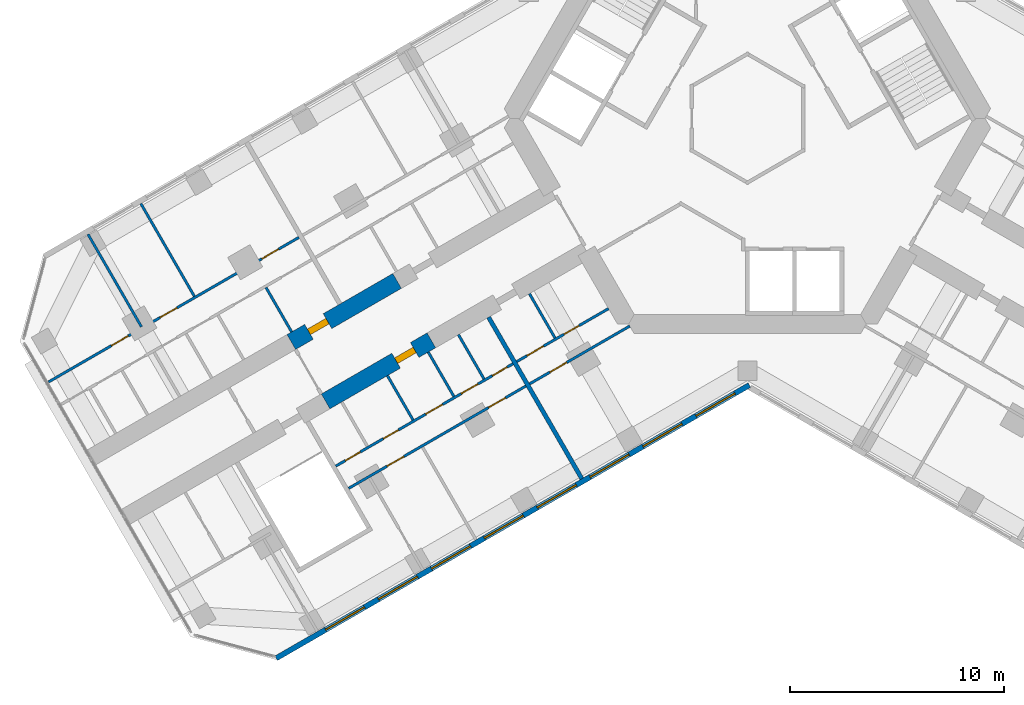
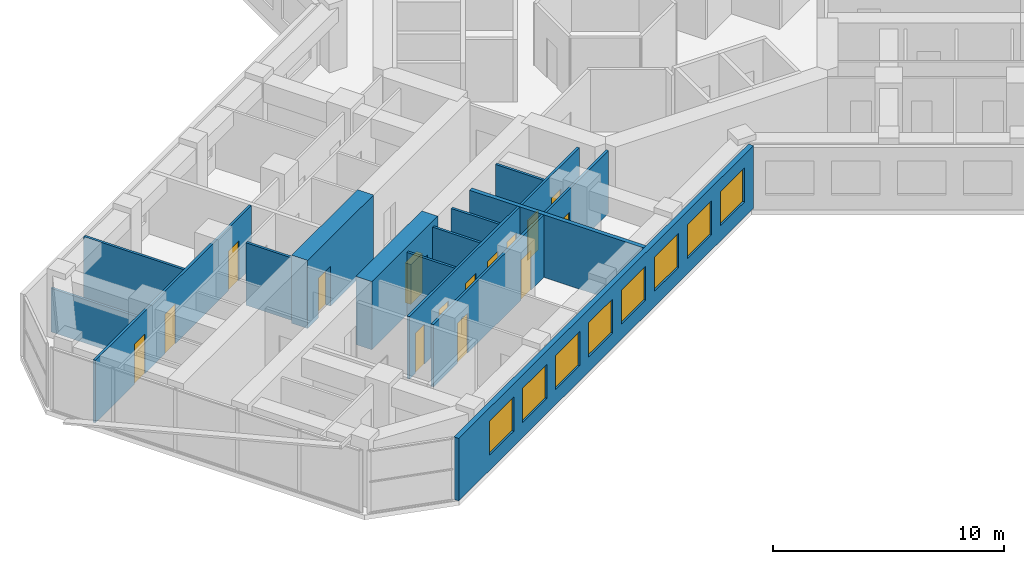
# One storey, part 11 of 20: 16 walls, 15 doors, 8 windows, 23 openings.
"""IFC4 building model written with IfcOpenShell, lengths in metres."""

from ifc_helpers import new_model, si_unit, direction, frame, frame_2d, origin, place, context, subcontext, project, spatial, rectangle, extrude, material, layer, layer_set, type_object, element, fill, save


model = new_model("IFC4")

# Units and contexts
model_context = context("Model", 3, precision=1e-05, world=origin(), true_north=direction((0.0, 1.0)))
body_context = subcontext(model_context, "Body", "Model", "MODEL_VIEW")
ifc_project = project(units=[si_unit("LENGTHUNIT", "METRE"), si_unit("AREAUNIT", "SQUARE_METRE"), si_unit("VOLUMEUNIT", "CUBIC_METRE"), si_unit("PLANEANGLEUNIT", "RADIAN"), si_unit("MASSUNIT", "GRAM", prefix="KILO")], contexts=[model_context])

# Site, building, storey
site_placement = place(None, origin())
site = spatial("IfcSite", under=ifc_project, at=site_placement, CompositionType="ELEMENT")
building_placement = place(site_placement, origin())
building = spatial("IfcBuilding", under=site, at=building_placement, Name="Kosmar Iwan School Tower", CompositionType="ELEMENT")
storey_placement = place(building_placement, frame((0.0, 0.0, 183.199951171875)))
storey = spatial("IfcBuildingStorey", under=building, at=storey_placement, Name="L46", CompositionType="ELEMENT", Elevation=183.199951171875)

# Wall, opening, door
ifc_material_1 = material(Name="Concrete C50/60", Category="concrete")
ifc_layer_1 = layer(ifc_material_1, 0.800048828125)
ifc_layer_set_1 = layer_set([ifc_layer_1], Name="Corridor buttress wall 800")
wall_type_1 = type_object("IfcWallType", Name="Corridor buttress wall 800", PredefinedType="SHEAR", material=ifc_layer_set_1)
wall_1_placement = place(storey_placement, frame((-14.7451171875, -10.360595703125, 0.0), z_axis=(0.0, 0.0, 1.0), x_axis=(-0.866015111908, -0.50001782563, 0.0)))
wall_1 = element("IfcWall", 1, at=wall_1_placement, inside=storey, type_object=wall_type_1, Name="Corridor wall BL bay 2", PredefinedType="SHEAR", context=body_context, shape_type="SweptSolid", body=[
    extrude(rectangle(XDim=5.699951171875, YDim=0.800048828125, at=frame_2d((2.85009765625, 0.0))), origin(), (0.0, 0.0, 1.0), 3.60009765625),
])
opening_1_placement = place(wall_1_placement, frame((0.89990234375, 0.0, 0.0)))
opening_1 = element("IfcOpeningElement", 2, at=opening_1_placement, cuts=wall_1, Name="Opening D1", PredefinedType="OPENING", context=body_context, shape_type="SweptSolid", body=[
    extrude(rectangle(XDim=1.0, YDim=2.10009765625, at=frame_2d((0.5, 1.050048828125))), frame((0.0, 0.412109375, 0.0), z_axis=(0.0, -1.0, 0.0), x_axis=(1.0, 0.0, 0.0)), (0.0, 0.0, 1.0), 0.823974609375),
])
ifc_material_2 = material(Name="Timber fire door in steel frame", Category="steel")
door_type_1 = type_object("IfcDoorType", Name="Flat entrance door 1000x2100", OperationType="SINGLE_SWING_LEFT", PredefinedType="DOOR", material=ifc_material_2)
door_1_placement = place(opening_1_placement, origin())
door_1 = element("IfcDoor", 3, at=door_1_placement, inside=storey, type_object=door_type_1, Name="Flat L46-BL2 entrance door", OperationType="SINGLE_SWING_LEFT", OverallHeight=2.10009765625, OverallWidth=1.0, PredefinedType="DOOR", context=body_context, shape_type="SweptSolid", body=[
    extrude(rectangle(XDim=1.0, YDim=2.10009765625, at=frame_2d((0.5, 1.050048828125))), frame((0.0, 0.14990234375, 0.0), z_axis=(0.0, -1.0, 0.0), x_axis=(1.0, 0.0, 0.0)), (0.0, 0.0, 1.0), 0.300048828125),
])
fill(opening_1, door_1)

wall_2_placement = place(storey_placement, frame((-16.34521484375, -7.58935546875, 0.0), z_axis=(0.0, 0.0, 1.0), x_axis=(-0.866015111908, -0.50001782563, 0.0)))
wall_2 = element("IfcWall", 4, at=wall_2_placement, inside=storey, type_object=wall_type_1, Name="Corridor wall BR bay 2", PredefinedType="SHEAR", context=body_context, shape_type="SweptSolid", body=[
    extrude(rectangle(XDim=5.699951171875, YDim=0.800048828125, at=frame_2d((2.85009765625, 0.0))), origin(), (0.0, 0.0, 1.0), 3.60009765625),
])
opening_2_placement = place(wall_2_placement, frame((3.75, 0.0, 0.0)))
opening_2 = element("IfcOpeningElement", 5, at=opening_2_placement, cuts=wall_2, Name="Opening D1", PredefinedType="OPENING", context=body_context, shape_type="SweptSolid", body=[
    extrude(rectangle(XDim=1.0, YDim=2.10009765625, at=frame_2d((0.5, 1.050048828125))), frame((0.0, 0.412109375, 0.0), z_axis=(0.0, -1.0, 0.0), x_axis=(1.0, 0.0, 0.0)), (0.0, 0.0, 1.0), 0.823974609375),
])
door_2_placement = place(opening_2_placement, origin())
door_2 = element("IfcDoor", 6, at=door_2_placement, inside=storey, type_object=door_type_1, Name="Flat L46-BR2 entrance door", OperationType="SINGLE_SWING_RIGHT", OverallHeight=2.10009765625, OverallWidth=1.0, PredefinedType="DOOR", context=body_context, shape_type="SweptSolid", body=[
    extrude(rectangle(XDim=1.0, YDim=2.10009765625, at=frame_2d((0.5, 1.050048828125))), frame((0.0, 0.14990234375, 0.0), z_axis=(0.0, -1.0, 0.0), x_axis=(1.0, 0.0, 0.0)), (0.0, 0.0, 1.0), 0.300048828125),
])
fill(opening_2, door_2)

# Wall, openings, doors
ifc_material_3 = material(Name="Gypsum board on steel studs", Category="steel")
ifc_layer_2 = layer(ifc_material_3, 0.1201171875)
ifc_layer_set_2 = layer_set([ifc_layer_2], Name="Dwelling partition 120")
wall_type_2 = type_object("IfcWallType", Name="Dwelling partition 120", PredefinedType="PARTITIONING", material=ifc_layer_set_2)
wall_3_placement = place(storey_placement, frame((-6.478515625, -8.87890625, 0.0), z_axis=(0.0, 0.0, 1.0), x_axis=(-0.866040211805, -0.499974350878, 0.0)))
wall_3 = element("IfcWall", 7, at=wall_3_placement, inside=storey, type_object=wall_type_2, Name="Partition L46-BL1-W1", PredefinedType="PARTITIONING", context=body_context, shape_type="SweptSolid", body=[
    extrude(rectangle(XDim=4.949951171875, YDim=0.1201171875, at=frame_2d((2.47509765625, 0.0))), origin(), (0.0, 0.0, 1.0), 3.300048828125),
])
opening_3_placement = place(wall_3_placement, frame((1.60009765625, 0.0, 0.0)))
opening_3 = element("IfcOpeningElement", 8, at=opening_3_placement, cuts=wall_3, Name="Opening D3", PredefinedType="OPENING", context=body_context, shape_type="SweptSolid", body=[
    extrude(rectangle(XDim=0.800048828125, YDim=2.10009765625, at=frame_2d((0.39990234375, 1.050048828125))), frame((0.0, 0.072021484375, 0.0), z_axis=(0.0, -1.0, 0.0), x_axis=(1.0, 0.0, 0.0)), (0.0, 0.0, 1.0), 0.14404296875),
])
opening_4_placement = place(wall_3_placement, frame((3.5, 0.0, 0.0)))
opening_4 = element("IfcOpeningElement", 9, at=opening_4_placement, cuts=wall_3, Name="Opening D2", PredefinedType="OPENING", context=body_context, shape_type="SweptSolid", body=[
    extrude(rectangle(XDim=0.89990234375, YDim=2.10009765625, at=frame_2d((0.449951171875, 1.050048828125))), frame((0.0, 0.072021484375, 0.0), z_axis=(0.0, -1.0, 0.0), x_axis=(1.0, 0.0, 0.0)), (0.0, 0.0, 1.0), 0.14404296875),
])
ifc_material_4 = material(Name="Timber door in timber frame", Category="wood")
door_type_2 = type_object("IfcDoorType", Name="Internal door 900x2100", OperationType="SINGLE_SWING_LEFT", PredefinedType="DOOR", material=ifc_material_4)
door_3_placement = place(opening_4_placement, origin())
door_3 = element("IfcDoor", 10, at=door_3_placement, inside=storey, type_object=door_type_2, Name="Entrance hall door L46-BL1-S2", OperationType="SINGLE_SWING_RIGHT", OverallHeight=2.10009765625, OverallWidth=0.89990234375, PredefinedType="DOOR", context=body_context, shape_type="SweptSolid", body=[
    extrude(rectangle(XDim=0.89990234375, YDim=2.10009765625, at=frame_2d((0.449951171875, 1.050048828125))), frame((0.0, 0.02490234375, 0.0), z_axis=(0.0, -1.0, 0.0), x_axis=(1.0, 0.0, 0.0)), (0.0, 0.0, 1.0), 0.050048828125),
])
fill(opening_4, door_3)
ifc_material_5 = material(Name="Timber door in timber frame", Category="wood")
door_type_3 = type_object("IfcDoorType", Name="Sanitary room door 800x2100", OperationType="SINGLE_SWING_LEFT", PredefinedType="DOOR", material=ifc_material_5)
door_4_placement = place(opening_3_placement, origin())
door_4 = element("IfcDoor", 11, at=door_4_placement, inside=storey, type_object=door_type_3, Name="Bathroom door L46-BL1-S1", OperationType="SINGLE_SWING_LEFT", OverallHeight=2.10009765625, OverallWidth=0.800048828125, PredefinedType="DOOR", context=body_context, shape_type="SweptSolid", body=[
    extrude(rectangle(XDim=0.800048828125, YDim=2.10009765625, at=frame_2d((0.39990234375, 1.050048828125))), frame((0.0, 0.02490234375, 0.0), z_axis=(0.0, -1.0, 0.0), x_axis=(1.0, 0.0, 0.0)), (0.0, 0.0, 1.0), 0.050048828125),
])
fill(opening_3, door_4)

# Wall, opening, door
wall_4_placement = place(storey_placement, frame((-5.48876953125, -9.693115234375, 0.0), z_axis=(0.0, 0.0, 1.0), x_axis=(-0.866028230842, -0.499995103361, 0.0)))
wall_4 = element("IfcWall", 12, at=wall_4_placement, inside=storey, type_object=wall_type_2, Name="Partition L46-BL1-W2", PredefinedType="PARTITIONING", context=body_context, shape_type="SweptSolid", body=[
    extrude(rectangle(XDim=5.39990234375, YDim=0.1201171875, at=frame_2d((2.699951171875, 0.0))), origin(), (0.0, 0.0, 1.0), 3.300048828125),
])
opening_5_placement = place(wall_4_placement, frame((3.39990234375, 0.0, 0.0)))
opening_5 = element("IfcOpeningElement", 13, at=opening_5_placement, cuts=wall_4, Name="Opening D2", PredefinedType="OPENING", context=body_context, shape_type="SweptSolid", body=[
    extrude(rectangle(XDim=0.89990234375, YDim=2.10009765625, at=frame_2d((0.449951171875, 1.050048828125))), frame((0.0, 0.072021484375, 0.0), z_axis=(0.0, -1.0, 0.0), x_axis=(1.0, 0.0, 0.0)), (0.0, 0.0, 1.0), 0.14404296875),
])
door_5_placement = place(opening_5_placement, origin())
door_5 = element("IfcDoor", 14, at=door_5_placement, inside=storey, type_object=door_type_2, Name="Studio living room and kitchen door L46-BL1-F1", OperationType="SINGLE_SWING_RIGHT", OverallHeight=2.10009765625, OverallWidth=0.89990234375, PredefinedType="DOOR", context=body_context, shape_type="SweptSolid", body=[
    extrude(rectangle(XDim=0.89990234375, YDim=2.10009765625, at=frame_2d((0.449951171875, 1.050048828125))), frame((0.0, 0.02490234375, 0.0), z_axis=(0.0, -1.0, 0.0), x_axis=(1.0, 0.0, 0.0)), (0.0, 0.0, 1.0), 0.050048828125),
])
fill(opening_5, door_5)

# Wall
wall_5_placement = place(storey_placement, frame((-10.171630859375, -8.18212890625, 0.0), z_axis=(0.0, 0.0, 1.0), x_axis=(0.499940577336, -0.866059708757, 0.0)))
element("IfcWall", 15, at=wall_5_placement, inside=storey, type_object=wall_type_2, Name="Partition L46-BL1-Y1", PredefinedType="PARTITIONING", context=body_context, shape_type="SweptSolid", body=[
    extrude(rectangle(XDim=2.389892578125, YDim=0.1201171875, at=frame_2d((1.19482421875, 0.0))), origin(), (0.0, 0.0, 1.0), 3.300048828125),
])

# Wall, openings, doors
wall_6_placement = place(storey_placement, frame((-10.9384765625, -11.453857421875, 0.0), z_axis=(0.0, 0.0, 1.0), x_axis=(-0.866035311659, -0.499982838664, 0.0)))
wall_6 = element("IfcWall", 16, at=wall_6_placement, inside=storey, type_object=wall_type_2, Name="Partition L46-BL2-W1", PredefinedType="PARTITIONING", context=body_context, shape_type="SweptSolid", body=[
    extrude(rectangle(XDim=9.550048828125, YDim=0.1201171875, at=frame_2d((4.77490234375, 0.0))), origin(), (0.0, 0.0, 1.0), 3.300048828125),
])
opening_6_placement = place(wall_6_placement, frame((0.3125, 0.0, 0.0)))
opening_6 = element("IfcOpeningElement", 17, at=opening_6_placement, cuts=wall_6, Name="Opening D3", PredefinedType="OPENING", context=body_context, shape_type="SweptSolid", body=[
    extrude(rectangle(XDim=0.800048828125, YDim=2.10009765625, at=frame_2d((0.39990234375, 1.050048828125))), frame((0.0, 0.072021484375, 0.0), z_axis=(0.0, -1.0, 0.0), x_axis=(1.0, 0.0, 0.0)), (0.0, 0.0, 1.0), 0.14404296875),
])
opening_7_placement = place(wall_6_placement, frame((1.887451171875, 0.0, 0.0)))
opening_7 = element("IfcOpeningElement", 18, at=opening_7_placement, cuts=wall_6, Name="Opening D2", PredefinedType="OPENING", context=body_context, shape_type="SweptSolid", body=[
    extrude(rectangle(XDim=0.89990234375, YDim=2.10009765625, at=frame_2d((0.449951171875, 1.050048828125))), frame((0.0, 0.072021484375, 0.0), z_axis=(0.0, -1.0, 0.0), x_axis=(1.0, 0.0, 0.0)), (0.0, 0.0, 1.0), 0.14404296875),
])
opening_8_placement = place(wall_6_placement, frame((3.800048828125, 0.0, 0.0)))
opening_8 = element("IfcOpeningElement", 19, at=opening_8_placement, cuts=wall_6, Name="Opening D2", PredefinedType="OPENING", context=body_context, shape_type="SweptSolid", body=[
    extrude(rectangle(XDim=0.89990234375, YDim=2.10009765625, at=frame_2d((0.449951171875, 1.050048828125))), frame((0.0, 0.072021484375, 0.0), z_axis=(0.0, -1.0, 0.0), x_axis=(1.0, 0.0, 0.0)), (0.0, 0.0, 1.0), 0.14404296875),
])
opening_9_placement = place(wall_6_placement, frame((6.179931640625, 0.0, 0.0)))
opening_9 = element("IfcOpeningElement", 20, at=opening_9_placement, cuts=wall_6, Name="Opening D3", PredefinedType="OPENING", context=body_context, shape_type="SweptSolid", body=[
    extrude(rectangle(XDim=0.800048828125, YDim=2.10009765625, at=frame_2d((0.39990234375, 1.050048828125))), frame((0.0, 0.072021484375, 0.0), z_axis=(0.0, -1.0, 0.0), x_axis=(1.0, 0.0, 0.0)), (0.0, 0.0, 1.0), 0.14404296875),
])
opening_10_placement = place(wall_6_placement, frame((8.22998046875, 0.0, 0.0)))
opening_10 = element("IfcOpeningElement", 21, at=opening_10_placement, cuts=wall_6, Name="Opening D3", PredefinedType="OPENING", context=body_context, shape_type="SweptSolid", body=[
    extrude(rectangle(XDim=0.800048828125, YDim=2.10009765625, at=frame_2d((0.39990234375, 1.050048828125))), frame((0.0, 0.072021484375, 0.0), z_axis=(0.0, -1.0, 0.0), x_axis=(1.0, 0.0, 0.0)), (0.0, 0.0, 1.0), 0.14404296875),
])
door_6_placement = place(opening_7_placement, frame((0.89990234375, 0.0, 0.0), z_axis=(0.0, 0.0, 1.0), x_axis=(-1.0, 0.0, 0.0)))
door_6 = element("IfcDoor", 22, at=door_6_placement, inside=storey, type_object=door_type_2, Name="Pantry door L46-BL2-S2", OperationType="SINGLE_SWING_RIGHT", OverallHeight=2.10009765625, OverallWidth=0.89990234375, PredefinedType="DOOR", context=body_context, shape_type="SweptSolid", body=[
    extrude(rectangle(XDim=0.89990234375, YDim=2.10009765625, at=frame_2d((0.449951171875, 1.050048828125))), frame((0.0, 0.02490234375, 0.0), z_axis=(0.0, -1.0, 0.0), x_axis=(1.0, 0.0, 0.0)), (0.0, 0.0, 1.0), 0.050048828125),
])
fill(opening_7, door_6)
door_7_placement = place(opening_8_placement, origin())
door_7 = element("IfcDoor", 23, at=door_7_placement, inside=storey, type_object=door_type_2, Name="Entrance hall door L46-BL2-S3", OperationType="SINGLE_SWING_LEFT", OverallHeight=2.10009765625, OverallWidth=0.89990234375, PredefinedType="DOOR", context=body_context, shape_type="SweptSolid", body=[
    extrude(rectangle(XDim=0.89990234375, YDim=2.10009765625, at=frame_2d((0.449951171875, 1.050048828125))), frame((0.0, 0.02490234375, 0.0), z_axis=(0.0, -1.0, 0.0), x_axis=(1.0, 0.0, 0.0)), (0.0, 0.0, 1.0), 0.050048828125),
])
fill(opening_8, door_7)
door_8_placement = place(opening_6_placement, origin())
door_8 = element("IfcDoor", 24, at=door_8_placement, inside=storey, type_object=door_type_3, Name="Store door L46-BL2-S1", OperationType="SINGLE_SWING_LEFT", OverallHeight=2.10009765625, OverallWidth=0.800048828125, PredefinedType="DOOR", context=body_context, shape_type="SweptSolid", body=[
    extrude(rectangle(XDim=0.800048828125, YDim=2.10009765625, at=frame_2d((0.39990234375, 1.050048828125))), frame((0.0, 0.02490234375, 0.0), z_axis=(0.0, -1.0, 0.0), x_axis=(1.0, 0.0, 0.0)), (0.0, 0.0, 1.0), 0.050048828125),
])
fill(opening_6, door_8)
door_9_placement = place(opening_9_placement, origin())
door_9 = element("IfcDoor", 25, at=door_9_placement, inside=storey, type_object=door_type_3, Name="Bathroom door L46-BL2-S4", OperationType="SINGLE_SWING_RIGHT", OverallHeight=2.10009765625, OverallWidth=0.800048828125, PredefinedType="DOOR", context=body_context, shape_type="SweptSolid", body=[
    extrude(rectangle(XDim=0.800048828125, YDim=2.10009765625, at=frame_2d((0.39990234375, 1.050048828125))), frame((0.0, 0.02490234375, 0.0), z_axis=(0.0, -1.0, 0.0), x_axis=(1.0, 0.0, 0.0)), (0.0, 0.0, 1.0), 0.050048828125),
])
fill(opening_9, door_9)
door_10_placement = place(opening_10_placement, origin())
door_10 = element("IfcDoor", 26, at=door_10_placement, inside=storey, type_object=door_type_3, Name="WC door L46-BL2-S5", OperationType="SINGLE_SWING_RIGHT", OverallHeight=2.10009765625, OverallWidth=0.800048828125, PredefinedType="DOOR", context=body_context, shape_type="SweptSolid", body=[
    extrude(rectangle(XDim=0.800048828125, YDim=2.10009765625, at=frame_2d((0.39990234375, 1.050048828125))), frame((0.0, 0.02490234375, 0.0), z_axis=(0.0, -1.0, 0.0), x_axis=(1.0, 0.0, 0.0)), (0.0, 0.0, 1.0), 0.050048828125),
])
fill(opening_10, door_10)

wall_7_placement = place(storey_placement, frame((-10.338623046875, -12.492919921875, 0.0), z_axis=(0.0, 0.0, 1.0), x_axis=(-0.866017851049, -0.500013081493, 0.0)))
wall_7 = element("IfcWall", 27, at=wall_7_placement, inside=storey, type_object=wall_type_2, Name="Partition L46-BL2-W2", PredefinedType="PARTITIONING", context=body_context, shape_type="SweptSolid", body=[
    extrude(rectangle(XDim=9.550048828125, YDim=0.1201171875, at=frame_2d((4.77490234375, 0.0))), origin(), (0.0, 0.0, 1.0), 3.300048828125),
])
opening_11_placement = place(wall_7_placement, frame((1.10009765625, 0.0, 0.0)))
opening_11 = element("IfcOpeningElement", 28, at=opening_11_placement, cuts=wall_7, Name="Opening D2", PredefinedType="OPENING", context=body_context, shape_type="SweptSolid", body=[
    extrude(rectangle(XDim=0.89990234375, YDim=2.10009765625, at=frame_2d((0.449951171875, 1.050048828125))), frame((0.0, 0.072021484375, 0.0), z_axis=(0.0, -1.0, 0.0), x_axis=(1.0, 0.0, 0.0)), (0.0, 0.0, 1.0), 0.14404296875),
])
opening_12_placement = place(wall_7_placement, frame((6.574951171875, 0.0, 0.0)))
opening_12 = element("IfcOpeningElement", 29, at=opening_12_placement, cuts=wall_7, Name="Opening D2", PredefinedType="OPENING", context=body_context, shape_type="SweptSolid", body=[
    extrude(rectangle(XDim=0.89990234375, YDim=2.10009765625, at=frame_2d((0.449951171875, 1.050048828125))), frame((0.0, 0.072021484375, 0.0), z_axis=(0.0, -1.0, 0.0), x_axis=(1.0, 0.0, 0.0)), (0.0, 0.0, 1.0), 0.14404296875),
])
door_11_placement = place(opening_11_placement, origin())
door_11 = element("IfcDoor", 30, at=door_11_placement, inside=storey, type_object=door_type_2, Name="Family room and kitchen door L46-BL2-F1", OperationType="SINGLE_SWING_LEFT", OverallHeight=2.10009765625, OverallWidth=0.89990234375, PredefinedType="DOOR", context=body_context, shape_type="SweptSolid", body=[
    extrude(rectangle(XDim=0.89990234375, YDim=2.10009765625, at=frame_2d((0.449951171875, 1.050048828125))), frame((0.0, 0.02490234375, 0.0), z_axis=(0.0, -1.0, 0.0), x_axis=(1.0, 0.0, 0.0)), (0.0, 0.0, 1.0), 0.050048828125),
])
fill(opening_11, door_11)
door_12_placement = place(opening_12_placement, origin())
door_12 = element("IfcDoor", 31, at=door_12_placement, inside=storey, type_object=door_type_2, Name="Bedroom 1 door L46-BL2-F2", OperationType="SINGLE_SWING_RIGHT", OverallHeight=2.10009765625, OverallWidth=0.89990234375, PredefinedType="DOOR", context=body_context, shape_type="SweptSolid", body=[
    extrude(rectangle(XDim=0.89990234375, YDim=2.10009765625, at=frame_2d((0.449951171875, 1.050048828125))), frame((0.0, 0.02490234375, 0.0), z_axis=(0.0, -1.0, 0.0), x_axis=(1.0, 0.0, 0.0)), (0.0, 0.0, 1.0), 0.050048828125),
])
fill(opening_12, door_12)

# Walls
for number, where, z_axis, x_axis, name in (
    (32, (-13.484375, -10.094482421875, 0.0), (0.0, 0.0, 1.0), (0.500017192868, -0.86601547725, 0.0), "Partition L46-BL2-Y1"),
    (33, (-14.8916015625, -10.906982421875, 0.0), (0.0, 0.0, 1.0), (0.500017192868, -0.86601547725, 0.0), "Partition L46-BL2-Y2"),
    (34, (-16.796875, -12.007080078125, 0.0), (0.0, 0.0, 1.0), (0.500017192868, -0.86601547725, 0.0), "Partition L46-BL2-Y3"),
):
    element("IfcWall", number, at=place(storey_placement, frame(where, z_axis=z_axis, x_axis=x_axis)), inside=storey, type_object=wall_type_2, Name=name, PredefinedType="PARTITIONING", context=body_context, shape_type="SweptSolid", body=[
        extrude(rectangle(XDim=2.39013671875, YDim=0.1201171875, at=frame_2d((1.195068359375, 0.0))), origin(), (0.0, 0.0, 1.0), 3.300048828125),
    ])

# Wall, openings, doors
wall_8_placement = place(storey_placement, frame((-20.9248046875, -5.556884765625, 0.0), z_axis=(0.0, 0.0, 1.0), x_axis=(-0.866028025956, -0.499995458239, 0.0)))
wall_8 = element("IfcWall", 35, at=wall_8_placement, inside=storey, type_object=wall_type_2, Name="Partition L46-BR2-W2", PredefinedType="PARTITIONING", context=body_context, shape_type="SweptSolid", body=[
    extrude(rectangle(XDim=13.495361328125, YDim=0.1201171875, at=frame_2d((6.74755859375, 0.0))), origin(), (0.0, 0.0, 1.0), 3.300048828125),
])
opening_13_placement = place(wall_8_placement, frame((1.10009765625, 0.0, 0.0)))
opening_13 = element("IfcOpeningElement", 36, at=opening_13_placement, cuts=wall_8, Name="Opening D2", PredefinedType="OPENING", context=body_context, shape_type="SweptSolid", body=[
    extrude(rectangle(XDim=0.89990234375, YDim=2.10009765625, at=frame_2d((0.449951171875, 1.050048828125))), frame((0.0, 0.072021484375, 0.0), z_axis=(0.0, -1.0, 0.0), x_axis=(1.0, 0.0, 0.0)), (0.0, 0.0, 1.0), 0.14404296875),
])
opening_14_placement = place(wall_8_placement, frame((6.574951171875, 0.0, 0.0)))
opening_14 = element("IfcOpeningElement", 37, at=opening_14_placement, cuts=wall_8, Name="Opening D2", PredefinedType="OPENING", context=body_context, shape_type="SweptSolid", body=[
    extrude(rectangle(XDim=0.89990234375, YDim=2.10009765625, at=frame_2d((0.449951171875, 1.050048828125))), frame((0.0, 0.072021484375, 0.0), z_axis=(0.0, -1.0, 0.0), x_axis=(1.0, 0.0, 0.0)), (0.0, 0.0, 1.0), 0.14404296875),
])
opening_15_placement = place(wall_8_placement, frame((9.199951171875, 0.0, 0.0)))
opening_15 = element("IfcOpeningElement", 38, at=opening_15_placement, cuts=wall_8, Name="Opening D2", PredefinedType="OPENING", context=body_context, shape_type="SweptSolid", body=[
    extrude(rectangle(XDim=0.89990234375, YDim=2.10009765625, at=frame_2d((0.449951171875, 1.050048828125))), frame((0.0, 0.072021484375, 0.0), z_axis=(0.0, -1.0, 0.0), x_axis=(1.0, 0.0, 0.0)), (0.0, 0.0, 1.0), 0.14404296875),
])
door_13_placement = place(opening_13_placement, origin())
door_13 = element("IfcDoor", 39, at=door_13_placement, inside=storey, type_object=door_type_2, Name="Living room door L46-BR2-F1", OperationType="SINGLE_SWING_LEFT", OverallHeight=2.10009765625, OverallWidth=0.89990234375, PredefinedType="DOOR", context=body_context, shape_type="SweptSolid", body=[
    extrude(rectangle(XDim=0.89990234375, YDim=2.10009765625, at=frame_2d((0.449951171875, 1.050048828125))), frame((0.0, 0.02490234375, 0.0), z_axis=(0.0, -1.0, 0.0), x_axis=(1.0, 0.0, 0.0)), (0.0, 0.0, 1.0), 0.050048828125),
])
fill(opening_13, door_13)
door_14_placement = place(opening_14_placement, origin())
door_14 = element("IfcDoor", 40, at=door_14_placement, inside=storey, type_object=door_type_2, Name="Kitchen and dining room door L46-BR2-F2", OperationType="SINGLE_SWING_RIGHT", OverallHeight=2.10009765625, OverallWidth=0.89990234375, PredefinedType="DOOR", context=body_context, shape_type="SweptSolid", body=[
    extrude(rectangle(XDim=0.89990234375, YDim=2.10009765625, at=frame_2d((0.449951171875, 1.050048828125))), frame((0.0, 0.02490234375, 0.0), z_axis=(0.0, -1.0, 0.0), x_axis=(1.0, 0.0, 0.0)), (0.0, 0.0, 1.0), 0.050048828125),
])
fill(opening_14, door_14)
door_15_placement = place(opening_15_placement, origin())
door_15 = element("IfcDoor", 41, at=door_15_placement, inside=storey, type_object=door_type_2, Name="Bedroom 1 door L46-BR2-F3", OperationType="SINGLE_SWING_RIGHT", OverallHeight=2.10009765625, OverallWidth=0.89990234375, PredefinedType="DOOR", context=body_context, shape_type="SweptSolid", body=[
    extrude(rectangle(XDim=0.89990234375, YDim=2.10009765625, at=frame_2d((0.449951171875, 1.050048828125))), frame((0.0, 0.02490234375, 0.0), z_axis=(0.0, -1.0, 0.0), x_axis=(1.0, 0.0, 0.0)), (0.0, 0.0, 1.0), 0.050048828125),
])
fill(opening_15, door_15)

# Walls
wall_9_placement = place(storey_placement, frame((-25.8046875, -8.304931640625, 0.0), z_axis=(0.0, 0.0, 1.0), x_axis=(-0.499975153383, 0.86603974851, 0.0)))
element("IfcWall", 42, at=wall_9_placement, inside=storey, type_object=wall_type_2, Name="Partition L46-BR2-X1", PredefinedType="PARTITIONING", context=body_context, shape_type="SweptSolid", body=[
    extrude(rectangle(XDim=4.989990234375, YDim=0.1201171875, at=frame_2d((2.4951171875, 0.0))), origin(), (0.0, 0.0, 1.0), 3.300048828125),
])
wall_10_placement = place(storey_placement, frame((-28.27294921875, -9.72998046875, 0.0), z_axis=(0.0, 0.0, 1.0), x_axis=(-0.499975153383, 0.86603974851, 0.0)))
element("IfcWall", 43, at=wall_10_placement, inside=storey, type_object=wall_type_2, Name="Partition L46-BR2-X2", PredefinedType="PARTITIONING", context=body_context, shape_type="SweptSolid", body=[
    extrude(rectangle(XDim=4.989990234375, YDim=0.1201171875, at=frame_2d((2.4951171875, 0.0))), origin(), (0.0, 0.0, 1.0), 2.300048828125),
])
wall_11_placement = place(storey_placement, frame((-21.264892578125, -9.968017578125, 0.0), z_axis=(0.0, 0.0, 1.0), x_axis=(-0.500017192868, 0.86601547725, 0.0)))
element("IfcWall", 44, at=wall_11_placement, inside=storey, type_object=wall_type_2, Name="Partition L46-BR2-Y1", PredefinedType="PARTITIONING", context=body_context, shape_type="SweptSolid", body=[
    extrude(rectangle(XDim=2.39013671875, YDim=0.1201171875, at=frame_2d((1.195068359375, 0.0))), origin(), (0.0, 0.0, 1.0), 3.300048828125),
])

# Wall, openings, windows
ifc_material_6 = material(Name="Black aluminium rainscreen on insulated framing", Category="aluminium")
ifc_layer_3 = layer(ifc_material_6, 0.25)
ifc_layer_set_3 = layer_set([ifc_layer_3], Name="External wall rainscreen 250")
wall_type_3 = type_object("IfcWallType", Name="External wall rainscreen 250", PredefinedType="SOLIDWALL", material=ifc_layer_set_3)
wall_12_placement = place(storey_placement, frame((0.088134765625, -12.44873046875, 0.0), z_axis=(0.0, 0.0, 1.0), x_axis=(-0.866026390279, -0.499998291337, 0.0)))
wall_12 = element("IfcWall", 45, at=wall_12_placement, inside=storey, type_object=wall_type_3, Name="External wall BL L46", PredefinedType="SOLIDWALL", context=body_context, shape_type="SweptSolid", body=[
    extrude(rectangle(XDim=25.4873046875, YDim=0.25, at=frame_2d((12.74365234375, 0.0))), origin(), (0.0, 0.0, 1.0), 3.300048828125),
])
opening_16_placement = place(wall_12_placement, frame((0.777099609375, 0.0, 0.800048828125)))
opening_16 = element("IfcOpeningElement", 46, at=opening_16_placement, cuts=wall_12, Name="Opening W4", PredefinedType="OPENING", context=body_context, shape_type="SweptSolid", body=[
    extrude(rectangle(XDim=2.10009765625, YDim=1.800048828125, at=frame_2d((1.050048828125, 0.89990234375))), frame((0.0, 0.136962890625, 0.0), z_axis=(0.0, -1.0, 0.0), x_axis=(1.0, 0.0, 0.0)), (0.0, 0.0, 1.0), 0.27392578125),
])
opening_17_placement = place(wall_12_placement, frame((3.626953125, 0.0, 0.800048828125)))
opening_17 = element("IfcOpeningElement", 47, at=opening_17_placement, cuts=wall_12, Name="Opening W4", PredefinedType="OPENING", context=body_context, shape_type="SweptSolid", body=[
    extrude(rectangle(XDim=2.10009765625, YDim=1.800048828125, at=frame_2d((1.050048828125, 0.89990234375))), frame((0.0, 0.136962890625, 0.0), z_axis=(0.0, -1.0, 0.0), x_axis=(1.0, 0.0, 0.0)), (0.0, 0.0, 1.0), 0.27392578125),
])
opening_18_placement = place(wall_12_placement, frame((6.47705078125, 0.0, 0.800048828125)))
opening_18 = element("IfcOpeningElement", 48, at=opening_18_placement, cuts=wall_12, Name="Opening W4", PredefinedType="OPENING", context=body_context, shape_type="SweptSolid", body=[
    extrude(rectangle(XDim=2.10009765625, YDim=1.800048828125, at=frame_2d((1.050048828125, 0.89990234375))), frame((0.0, 0.136962890625, 0.0), z_axis=(0.0, -1.0, 0.0), x_axis=(1.0, 0.0, 0.0)), (0.0, 0.0, 1.0), 0.27392578125),
])
opening_19_placement = place(wall_12_placement, frame((9.326904296875, 0.0, 0.800048828125)))
opening_19 = element("IfcOpeningElement", 49, at=opening_19_placement, cuts=wall_12, Name="Opening W4", PredefinedType="OPENING", context=body_context, shape_type="SweptSolid", body=[
    extrude(rectangle(XDim=2.10009765625, YDim=1.800048828125, at=frame_2d((1.050048828125, 0.89990234375))), frame((0.0, 0.136962890625, 0.0), z_axis=(0.0, -1.0, 0.0), x_axis=(1.0, 0.0, 0.0)), (0.0, 0.0, 1.0), 0.27392578125),
])
opening_20_placement = place(wall_12_placement, frame((12.177001953125, 0.0, 0.800048828125)))
opening_20 = element("IfcOpeningElement", 50, at=opening_20_placement, cuts=wall_12, Name="Opening W4", PredefinedType="OPENING", context=body_context, shape_type="SweptSolid", body=[
    extrude(rectangle(XDim=2.10009765625, YDim=1.800048828125, at=frame_2d((1.050048828125, 0.89990234375))), frame((0.0, 0.136962890625, 0.0), z_axis=(0.0, -1.0, 0.0), x_axis=(1.0, 0.0, 0.0)), (0.0, 0.0, 1.0), 0.27392578125),
])
opening_21_placement = place(wall_12_placement, frame((15.027099609375, 0.0, 0.800048828125)))
opening_21 = element("IfcOpeningElement", 51, at=opening_21_placement, cuts=wall_12, Name="Opening W4", PredefinedType="OPENING", context=body_context, shape_type="SweptSolid", body=[
    extrude(rectangle(XDim=2.10009765625, YDim=1.800048828125, at=frame_2d((1.050048828125, 0.89990234375))), frame((0.0, 0.136962890625, 0.0), z_axis=(0.0, -1.0, 0.0), x_axis=(1.0, 0.0, 0.0)), (0.0, 0.0, 1.0), 0.27392578125),
])
opening_22_placement = place(wall_12_placement, frame((17.876953125, 0.0, 0.800048828125)))
opening_22 = element("IfcOpeningElement", 52, at=opening_22_placement, cuts=wall_12, Name="Opening W4", PredefinedType="OPENING", context=body_context, shape_type="SweptSolid", body=[
    extrude(rectangle(XDim=2.10009765625, YDim=1.800048828125, at=frame_2d((1.050048828125, 0.89990234375))), frame((0.0, 0.136962890625, 0.0), z_axis=(0.0, -1.0, 0.0), x_axis=(1.0, 0.0, 0.0)), (0.0, 0.0, 1.0), 0.27392578125),
])
opening_23_placement = place(wall_12_placement, frame((20.72705078125, 0.0, 0.800048828125)))
opening_23 = element("IfcOpeningElement", 53, at=opening_23_placement, cuts=wall_12, Name="Opening W4", PredefinedType="OPENING", context=body_context, shape_type="SweptSolid", body=[
    extrude(rectangle(XDim=2.10009765625, YDim=1.800048828125, at=frame_2d((1.050048828125, 0.89990234375))), frame((0.0, 0.136962890625, 0.0), z_axis=(0.0, -1.0, 0.0), x_axis=(1.0, 0.0, 0.0)), (0.0, 0.0, 1.0), 0.27392578125),
])
ifc_material_7 = material(Name="Black aluminium frame with dark triple glazing", Category="aluminium")
window_type = type_object("IfcWindowType", Name="Window 2100x1800", PartitioningType="SINGLE_PANEL", PredefinedType="WINDOW", material=ifc_material_7)
window_1_placement = place(opening_16_placement, origin())
window_1 = element("IfcWindow", 54, at=window_1_placement, inside=storey, type_object=window_type, Name="Window BL L46 -1", OverallHeight=1.800048828125, OverallWidth=2.10009765625, PartitioningType="SINGLE_PANEL", PredefinedType="WINDOW", context=body_context, shape_type="SweptSolid", body=[
    extrude(rectangle(XDim=2.10009765625, YDim=1.800048828125, at=frame_2d((1.050048828125, 0.89990234375))), frame((0.0, 0.030029296875, 0.0), z_axis=(0.0, -1.0, 0.0), x_axis=(1.0, 0.0, 0.0)), (0.0, 0.0, 1.0), 0.06005859375),
])
fill(opening_16, window_1)
window_2_placement = place(opening_17_placement, origin())
window_2 = element("IfcWindow", 55, at=window_2_placement, inside=storey, type_object=window_type, Name="Window BL L46 0", OverallHeight=1.800048828125, OverallWidth=2.10009765625, PartitioningType="SINGLE_PANEL", PredefinedType="WINDOW", context=body_context, shape_type="SweptSolid", body=[
    extrude(rectangle(XDim=2.10009765625, YDim=1.800048828125, at=frame_2d((1.050048828125, 0.89990234375))), frame((0.0, 0.030029296875, 0.0), z_axis=(0.0, -1.0, 0.0), x_axis=(1.0, 0.0, 0.0)), (0.0, 0.0, 1.0), 0.06005859375),
])
fill(opening_17, window_2)
window_3_placement = place(opening_18_placement, origin())
window_3 = element("IfcWindow", 56, at=window_3_placement, inside=storey, type_object=window_type, Name="Window BL L46 1", OverallHeight=1.800048828125, OverallWidth=2.10009765625, PartitioningType="SINGLE_PANEL", PredefinedType="WINDOW", context=body_context, shape_type="SweptSolid", body=[
    extrude(rectangle(XDim=2.10009765625, YDim=1.800048828125, at=frame_2d((1.050048828125, 0.89990234375))), frame((0.0, 0.030029296875, 0.0), z_axis=(0.0, -1.0, 0.0), x_axis=(1.0, 0.0, 0.0)), (0.0, 0.0, 1.0), 0.06005859375),
])
fill(opening_18, window_3)
window_4_placement = place(opening_19_placement, origin())
window_4 = element("IfcWindow", 57, at=window_4_placement, inside=storey, type_object=window_type, Name="Window BL L46 2", OverallHeight=1.800048828125, OverallWidth=2.10009765625, PartitioningType="SINGLE_PANEL", PredefinedType="WINDOW", context=body_context, shape_type="SweptSolid", body=[
    extrude(rectangle(XDim=2.10009765625, YDim=1.800048828125, at=frame_2d((1.050048828125, 0.89990234375))), frame((0.0, 0.030029296875, 0.0), z_axis=(0.0, -1.0, 0.0), x_axis=(1.0, 0.0, 0.0)), (0.0, 0.0, 1.0), 0.06005859375),
])
fill(opening_19, window_4)
window_5_placement = place(opening_20_placement, origin())
window_5 = element("IfcWindow", 58, at=window_5_placement, inside=storey, type_object=window_type, Name="Window BL L46 3", OverallHeight=1.800048828125, OverallWidth=2.10009765625, PartitioningType="SINGLE_PANEL", PredefinedType="WINDOW", context=body_context, shape_type="SweptSolid", body=[
    extrude(rectangle(XDim=2.10009765625, YDim=1.800048828125, at=frame_2d((1.050048828125, 0.89990234375))), frame((0.0, 0.030029296875, 0.0), z_axis=(0.0, -1.0, 0.0), x_axis=(1.0, 0.0, 0.0)), (0.0, 0.0, 1.0), 0.06005859375),
])
fill(opening_20, window_5)
window_6_placement = place(opening_21_placement, origin())
window_6 = element("IfcWindow", 59, at=window_6_placement, inside=storey, type_object=window_type, Name="Window BL L46 4", OverallHeight=1.800048828125, OverallWidth=2.10009765625, PartitioningType="SINGLE_PANEL", PredefinedType="WINDOW", context=body_context, shape_type="SweptSolid", body=[
    extrude(rectangle(XDim=2.10009765625, YDim=1.800048828125, at=frame_2d((1.050048828125, 0.89990234375))), frame((0.0, 0.030029296875, 0.0), z_axis=(0.0, -1.0, 0.0), x_axis=(1.0, 0.0, 0.0)), (0.0, 0.0, 1.0), 0.06005859375),
])
fill(opening_21, window_6)
window_7_placement = place(opening_22_placement, origin())
window_7 = element("IfcWindow", 60, at=window_7_placement, inside=storey, type_object=window_type, Name="Window BL L46 5", OverallHeight=1.800048828125, OverallWidth=2.10009765625, PartitioningType="SINGLE_PANEL", PredefinedType="WINDOW", context=body_context, shape_type="SweptSolid", body=[
    extrude(rectangle(XDim=2.10009765625, YDim=1.800048828125, at=frame_2d((1.050048828125, 0.89990234375))), frame((0.0, 0.030029296875, 0.0), z_axis=(0.0, -1.0, 0.0), x_axis=(1.0, 0.0, 0.0)), (0.0, 0.0, 1.0), 0.06005859375),
])
fill(opening_22, window_7)
window_8_placement = place(opening_23_placement, origin())
window_8 = element("IfcWindow", 61, at=window_8_placement, inside=storey, type_object=window_type, Name="Window BL L46 6", OverallHeight=1.800048828125, OverallWidth=2.10009765625, PartitioningType="SINGLE_PANEL", PredefinedType="WINDOW", context=body_context, shape_type="SweptSolid", body=[
    extrude(rectangle(XDim=2.10009765625, YDim=1.800048828125, at=frame_2d((1.050048828125, 0.89990234375))), frame((0.0, 0.030029296875, 0.0), z_axis=(0.0, -1.0, 0.0), x_axis=(1.0, 0.0, 0.0)), (0.0, 0.0, 1.0), 0.06005859375),
])
fill(opening_23, window_8)

# Wall
ifc_material_8 = material(Name="Concrete block masonry", Category="masonry")
ifc_layer_4 = layer(ifc_material_8, 0.199951171875)
ifc_layer_set_4 = layer_set([ifc_layer_4], Name="Party wall 200")
wall_type_4 = type_object("IfcWallType", Name="Party wall 200", PredefinedType="PARTITIONING", material=ifc_layer_set_4)
wall_13_placement = place(storey_placement, frame((-12.076904296875, -9.281982421875, 0.0), z_axis=(0.0, 0.0, 1.0), x_axis=(0.499987231761, -0.866032775405, 0.0)))
element("IfcWall", 62, at=wall_13_placement, inside=storey, type_object=wall_type_4, Name="Partition L46-BL2-PW", PredefinedType="PARTITIONING", context=body_context, shape_type="SweptSolid", body=[
    extrude(rectangle(XDim=8.699951171875, YDim=0.199951171875, at=frame_2d((4.35009765625, 0.0))), origin(), (0.0, 0.0, 1.0), 3.300048828125),
])

save(model, "model.ifc")
